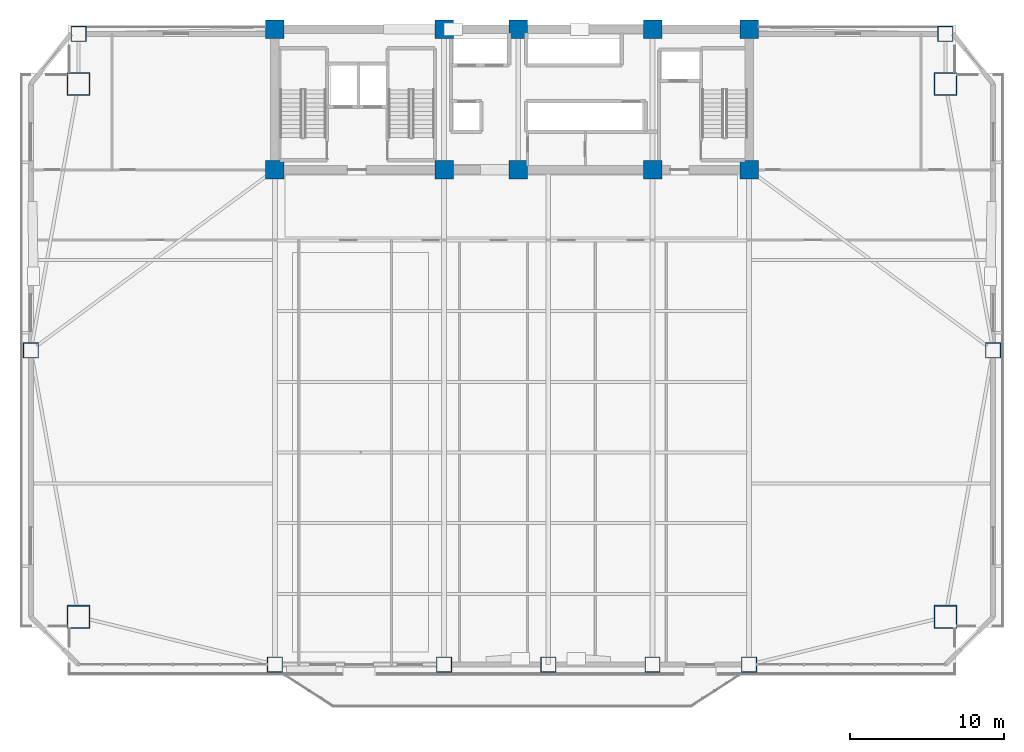
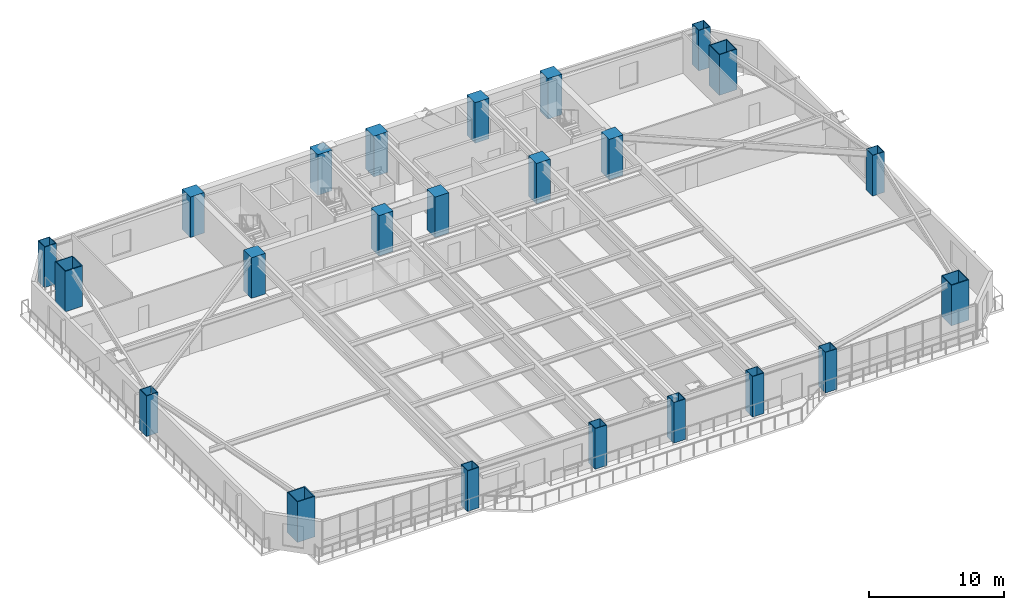
# One storey, part 1 of 16: 23 columns.
"""IFC4 building model written with IfcOpenShell, lengths in metres."""

from ifc_helpers import new_model, si_unit, direction, frame, origin, origin_2d, place, context, subcontext, project, spatial, rectangle, hollow_rectangle, extrude, source, transform, mapped, material, material_profile, profile_set, type_object, element, save


model = new_model("IFC4")

# Units and contexts
model_context = context("Model", 3, precision=1e-05, world=origin(), true_north=direction((0.0, 1.0)))
body_context = subcontext(model_context, "Body", "Model", "MODEL_VIEW")
ifc_project = project(units=[si_unit("LENGTHUNIT", "METRE"), si_unit("AREAUNIT", "SQUARE_METRE"), si_unit("VOLUMEUNIT", "CUBIC_METRE"), si_unit("PLANEANGLEUNIT", "RADIAN"), si_unit("MASSUNIT", "GRAM", prefix="KILO")], contexts=[model_context])

# Site, building, storey
site_placement = place(None, origin())
site = spatial("IfcSite", under=ifc_project, at=site_placement, CompositionType="ELEMENT")
building_placement = place(site_placement, origin())
building = spatial("IfcBuilding", under=site, at=building_placement, Name="Giltprow Tower", CompositionType="ELEMENT")
storey_placement = place(building_placement, frame((0.0, 0.0, 79.60009765625)))
storey = spatial("IfcBuildingStorey", under=building, at=storey_placement, Name="L19", CompositionType="ELEMENT", Elevation=79.60009765625)

# Columns
ifc_material_1 = material(Name="Concrete C60", Category="concrete")
ifc_material_profile_1 = material_profile(ifc_material_1, rectangle(XDim=1.199951171875, YDim=1.199951171875, at=origin_2d()), Name="RC 1200x1200")
ifc_profile_set_1 = profile_set([ifc_material_profile_1], Name="Concrete C60")
column_type_1 = type_object("IfcColumnType", Name="PIL-RC-1200-C60", PredefinedType="PILASTER", material=ifc_profile_set_1)
shared_shape_1 = source(origin(), body_context, "Body", "SweptSolid", [
    extrude(rectangle(XDim=1.199951171875, YDim=1.199951171875, at=origin_2d()), origin(), (0.0, 0.0, 1.0), 3.679931640625),
])
for number, where, z_axis, x_axis, name in (
    (1, (19.85009765625, 37.449951171875, 0.0), (0.0, 0.0, 1.0), (1.0, 0.0, 0.0), "L19 Core Boundary Pilaster 1-1"),
    (2, (19.85009765625, 46.550048828125, 0.0), (0.0, 0.0, 1.0), (1.0, 0.0, 0.0), "L19 Core Boundary Pilaster 1-2"),
    (3, (30.800048828125, 37.449951171875, 0.0), (0.0, 0.0, 1.0), (1.0, 0.0, 0.0), "L19 Core Boundary Pilaster 2-1"),
    (4, (30.800048828125, 46.550048828125, 0.0), (0.0, 0.0, 1.0), (1.0, 0.0, 0.0), "L19 Core Boundary Pilaster 2-2"),
    (5, (35.60009765625, 37.449951171875, 0.0), (0.0, 0.0, 1.0), (1.0, 0.0, 0.0), "L19 Core Boundary Pilaster 3-1"),
    (6, (35.60009765625, 46.550048828125, 0.0), (0.0, 0.0, 1.0), (1.0, 0.0, 0.0), "L19 Core Boundary Pilaster 3-2"),
    (7, (44.300048828125, 37.449951171875, 0.0), (0.0, 0.0, 1.0), (1.0, 0.0, 0.0), "L19 Core Boundary Pilaster 4-1"),
    (8, (44.300048828125, 46.550048828125, 0.0), (0.0, 0.0, 1.0), (1.0, 0.0, 0.0), "L19 Core Boundary Pilaster 4-2"),
    (9, (50.550048828125, 37.449951171875, 0.0), (0.0, 0.0, 1.0), (1.0, 0.0, 0.0), "L19 Core Boundary Pilaster 5-1"),
    (10, (50.550048828125, 46.550048828125, 0.0), (0.0, 0.0, 1.0), (1.0, 0.0, 0.0), "L19 Core Boundary Pilaster 5-2"),
):
    element("IfcColumn", number, at=place(storey_placement, frame(where, z_axis=z_axis, x_axis=x_axis)), inside=storey, type_object=column_type_1, Name=name, PredefinedType="PILASTER", context=body_context, shape_type="MappedRepresentation", body=[
        mapped(shared_shape_1, transform((0.0, 0.0, 0.0), x_axis=(1.0, 0.0, 0.0), y_axis=(0.0, 1.0, 0.0), z_axis=(0.0, 0.0, 1.0), scale=1.0)),
    ])
ifc_material_2 = material(Name="Structural steel Q420GJC", Category="steel")
ifc_material_profile_2 = material_profile(ifc_material_2, hollow_rectangle(XDim=1.5, YDim=1.5, WallThickness=0.070068359375, at=origin_2d()), Name="BOX 1500x1500x70")
ifc_profile_set_2 = profile_set([ifc_material_profile_2], Name="Structural steel Q420GJC")
column_type_2 = type_object("IfcColumnType", Name="COL-BOX-1500x1500x70", PredefinedType="COLUMN", material=ifc_profile_set_2)
shared_shape_2 = source(origin(), body_context, "Body", "SweptSolid", [
    extrude(hollow_rectangle(XDim=1.5, YDim=1.5, WallThickness=0.070068359375, at=origin_2d()), origin(), (0.0, 0.0, 1.0), 3.679931640625),
])
for number, where, z_axis, x_axis, name in (
    (11, (7.135986328125, 8.5048828125, 0.0), (0.0, 0.0, 1.0), (1.0, 0.0, 0.0), "L19 Mega-Column MC_SW"),
    (12, (63.264892578125, 8.5048828125, 0.0), (0.0, 0.0, 1.0), (1.0, 0.0, 0.0), "L19 Mega-Column MC_SE"),
    (13, (7.135986328125, 43.00390625, 0.0), (0.0, 0.0, 1.0), (1.0, 0.0, 0.0), "L19 Mega-Column MC_NW"),
    (14, (63.264892578125, 43.00390625, 0.0), (0.0, 0.0, 1.0), (1.0, 0.0, 0.0), "L19 Mega-Column MC_NE"),
):
    element("IfcColumn", number, at=place(storey_placement, frame(where, z_axis=z_axis, x_axis=x_axis)), inside=storey, type_object=column_type_2, Name=name, PredefinedType="COLUMN", context=body_context, shape_type="MappedRepresentation", body=[
        mapped(shared_shape_2, transform((0.0, 0.0, 0.0), x_axis=(1.0, 0.0, 0.0), y_axis=(0.0, 1.0, 0.0), z_axis=(0.0, 0.0, 1.0), scale=1.0)),
    ])
ifc_material_profile_3 = material_profile(ifc_material_2, hollow_rectangle(XDim=1.0, YDim=1.0, WallThickness=0.044921875, at=origin_2d()), Name="BOX 1000x1000x45")
ifc_profile_set_3 = profile_set([ifc_material_profile_3], Name="Structural steel Q420GJC")
column_type_3 = type_object("IfcColumnType", Name="COL-BOX-1000x1000x45", PredefinedType="COLUMN", material=ifc_profile_set_3)
shared_shape_3 = source(origin(), body_context, "Body", "SweptSolid", [
    extrude(hollow_rectangle(XDim=1.0, YDim=1.0, WallThickness=0.044921875, at=origin_2d()), origin(), (0.0, 0.0, 1.0), 3.679931640625),
])
for number, where, z_axis, x_axis, name in (
    (15, (19.85009765625, 5.408935546875, 0.0), (0.0, 0.0, 1.0), (1.0, 0.0, 0.0), "L19 Perimeter Column S1"),
    (16, (30.800048828125, 5.408935546875, 0.0), (0.0, 0.0, 1.0), (1.0, 0.0, 0.0), "L19 Perimeter Column S2"),
    (17, (37.550048828125, 5.408935546875, 0.0), (0.0, 0.0, 1.0), (1.0, 0.0, 0.0), "L19 Perimeter Column S_MID"),
    (18, (44.300048828125, 5.408935546875, 0.0), (0.0, 0.0, 1.0), (1.0, 0.0, 0.0), "L19 Perimeter Column S3"),
    (19, (50.550048828125, 5.408935546875, 0.0), (0.0, 0.0, 1.0), (1.0, 0.0, 0.0), "L19 Perimeter Column S4"),
    (20, (4.0400390625, 25.7548828125, 0.0), (0.0, 0.0, 1.0), (1.0, 0.0, 0.0), "L19 Perimeter Column W_MID"),
    (21, (66.361083984375, 25.7548828125, 0.0), (0.0, 0.0, 1.0), (1.0, 0.0, 0.0), "L19 Perimeter Column E_MID"),
    (22, (7.135986328125, 46.25, 0.0), (0.0, 0.0, 1.0), (1.0, 0.0, 0.0), "L19 Perimeter Column N_W"),
    (23, (63.264892578125, 46.25, 0.0), (0.0, 0.0, 1.0), (1.0, 0.0, 0.0), "L19 Perimeter Column N_E"),
):
    element("IfcColumn", number, at=place(storey_placement, frame(where, z_axis=z_axis, x_axis=x_axis)), inside=storey, type_object=column_type_3, Name=name, PredefinedType="COLUMN", context=body_context, shape_type="MappedRepresentation", body=[
        mapped(shared_shape_3, transform((0.0, 0.0, 0.0), x_axis=(1.0, 0.0, 0.0), y_axis=(0.0, 1.0, 0.0), z_axis=(0.0, 0.0, 1.0), scale=1.0)),
    ])

save(model, "model.ifc")
